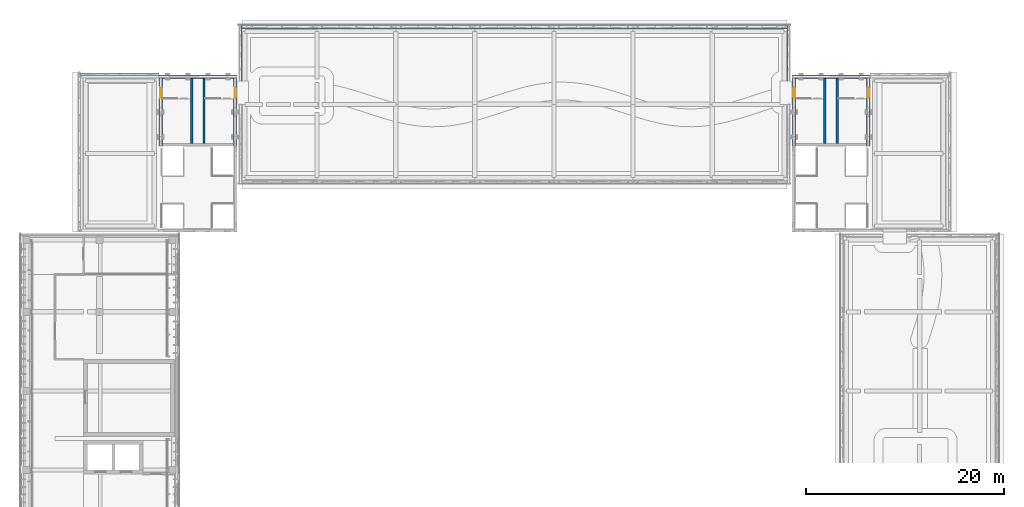
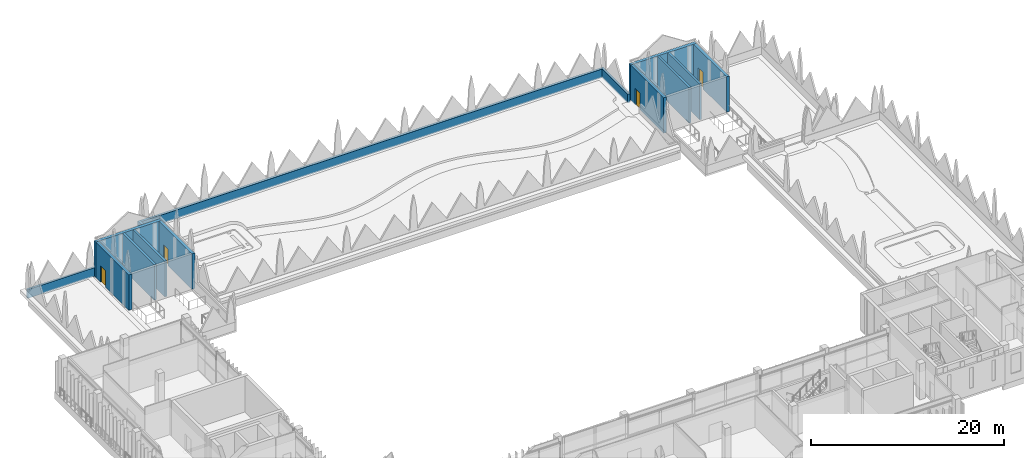
# One storey, part 28 of 46: 14 walls, 4 doors, 4 openings.
"""IFC4 building model written with IfcOpenShell, lengths in metres."""

import ifcopenshell
import ifcopenshell.guid

model = None  # the IFC model being written
_history = None  # IfcOwnerHistory: only IFC2X3 demands one
_inside = {}  # id of a spatial element -> (the spatial element, [elements in it])
_under = {}  # id of a project, library or spatial element -> (it, [spatial elements below it])
_declared = {}  # id of a project -> (the project, [libraries it declares])
_typed = {}  # id of a type object -> (the type object, [elements of that type])
_made_of = {}  # id of a material, layer set ... -> (it, [elements and type objects made of it])


def new_model(schema):
    """Start an empty IFC model of exactly this schema.

    Asked for "IFC4X3", IfcOpenShell would pick the latest addendum, in which some entities
    have other attributes; the version numbers below select the first issue.
    IFC2X3 requires an IfcOwnerHistory on every rooted entity: one is made here for all.
    """
    global model, _history
    if schema == "IFC4X3":
        model = ifcopenshell.file(schema_version=(4, 3, 0, 0))
    else:
        model = ifcopenshell.file(schema=schema)
    _inside.clear()
    _under.clear()
    _declared.clear()
    _typed.clear()
    _made_of.clear()
    _history = None
    if model.schema == "IFC2X3":
        org = make("IfcOrganization", Name="unknown")
        user = make(
            "IfcPersonAndOrganization",
            ThePerson=make("IfcPerson", FamilyName="unknown"),
            TheOrganization=org,
        )
        app = make(
            "IfcApplication",
            ApplicationDeveloper=org,
            Version="unknown",
            ApplicationFullName="unknown",
            ApplicationIdentifier="unknown",
        )
        _history = make(
            "IfcOwnerHistory",
            OwningUser=user,
            OwningApplication=app,
            ChangeAction="ADDED",
            CreationDate=0,
        )
    return model


def make(cls, **values):
    """One entity of the class cls with the attributes given. An attribute that is None is left unset."""
    return model.create_entity(
        cls, **{name: value for name, value in values.items() if value is not None}
    )


def rooted(cls, **values):
    """An entity with a GlobalId (a new one), such as an element, a storey or a relation."""
    return make(cls, GlobalId=ifcopenshell.guid.new(), OwnerHistory=_history, **values)


def si_unit(unit_type, name, prefix=None):
    """IfcSIUnit, for example si_unit("LENGTHUNIT", "METRE", prefix="MILLI")."""
    return make("IfcSIUnit", UnitType=unit_type, Prefix=prefix, Name=name)


def assignment(units):
    """IfcUnitAssignment: the units of a project."""
    return None if units is None else make("IfcUnitAssignment", Units=units)


def point(xyz):
    """IfcCartesianPoint."""
    return None if xyz is None else make("IfcCartesianPoint", Coordinates=xyz)


def direction(xyz):
    """IfcDirection."""
    return None if xyz is None else make("IfcDirection", DirectionRatios=xyz)


def frame(location, z_axis=None, x_axis=None):
    """IfcAxis2Placement3D, a coordinate frame: its origin and axes. An axis left out is left unset."""
    return make(
        "IfcAxis2Placement3D",
        Location=point(location),
        Axis=direction(z_axis),
        RefDirection=direction(x_axis),
    )


def frame_2d(location, x_axis=None):
    """IfcAxis2Placement2D, a coordinate frame in the plane: its origin and x axis."""
    return make(
        "IfcAxis2Placement2D", Location=point(location), RefDirection=direction(x_axis)
    )


def origin():
    """The frame at (0, 0, 0) with its axes left unset."""
    return frame((0.0, 0.0, 0.0))


def place(relative_to, where):
    """IfcLocalPlacement: puts the frame where relative to a parent placement (None: the world)."""
    return make(
        "IfcLocalPlacement", PlacementRelTo=relative_to, RelativePlacement=where
    )


def context(
    kind, dimensions, precision=None, world=None, true_north=None, identifier=None
):
    """IfcGeometricRepresentationContext, for example the 3D "Model" context."""
    return make(
        "IfcGeometricRepresentationContext",
        ContextIdentifier=identifier,
        ContextType=kind,
        CoordinateSpaceDimension=dimensions,
        Precision=precision,
        WorldCoordinateSystem=world,
        TrueNorth=true_north,
    )


def subcontext(parent, identifier, kind, view, scale=None):
    """IfcGeometricRepresentationSubContext, for example "Body" below "Model"."""
    return make(
        "IfcGeometricRepresentationSubContext",
        ContextIdentifier=identifier,
        ContextType=kind,
        ParentContext=parent,
        TargetScale=scale,
        TargetView=view,
    )


def project(units=None, contexts=None):
    """IfcProject with its units and contexts."""
    return rooted(
        "IfcProject",
        Name="project",
        RepresentationContexts=contexts,
        UnitsInContext=assignment(units),
    )


def spatial(cls, under=None, at=None, **own):
    """A site, building, storey or space (cls), placed at a placement, below another one or the project."""
    s = rooted(cls, ObjectPlacement=at, **own)
    if under is not None:
        _under.setdefault(under.id(), (under, []))[1].append(s)
    return s


def profile(cls, at=None, kind="AREA", **sizes):
    """A parametric profile (cls). Its sizes go by their IFC names, for example OverallWidth=200.0."""
    return make(cls, ProfileType=kind, Position=at, **sizes)


def rectangle(**sizes):
    """IfcRectangleProfileDef."""
    return profile("IfcRectangleProfileDef", **sizes)


def extrude(swept, where, along, depth):
    """IfcExtrudedAreaSolid: the profile swept, set in the frame where, extruded along a direction by depth."""
    return make(
        "IfcExtrudedAreaSolid",
        SweptArea=swept,
        Position=where,
        ExtrudedDirection=direction(along),
        Depth=depth,
    )


def shape(context_of_items, identifier, shape_type, items):
    """IfcShapeRepresentation: the items that make up one representation, for example the "Body"."""
    return make(
        "IfcShapeRepresentation",
        ContextOfItems=context_of_items,
        RepresentationIdentifier=identifier,
        RepresentationType=shape_type,
        Items=items,
    )


def material(Name=None, Category=None):
    """IfcMaterial."""
    return make("IfcMaterial", Name=Name, Category=Category)


def layer(
    of_material, thickness, ventilated=None, Name=None, Category=None, Priority=None
):
    """IfcMaterialLayer: one layer of a wall or slab, of a material (None: an air gap)."""
    return make(
        "IfcMaterialLayer",
        Material=of_material,
        LayerThickness=thickness,
        IsVentilated=ventilated,
        Name=Name,
        Category=Category,
        Priority=Priority,
    )


def layer_set(layers, Name=None):
    """IfcMaterialLayerSet."""
    return make("IfcMaterialLayerSet", MaterialLayers=layers, LayerSetName=Name)


def made_of(thing, what):
    """Note that an element or type object is made of a material, layer set ...; save() writes the relation."""
    if what is not None:
        _made_of.setdefault(what.id(), (what, []))[1].append(thing)
    return thing


def type_object(cls, material=None, **own):
    """A type object (cls), such as IfcWallType, which elements share."""
    return made_of(rooted(cls, **own), material)


def element(
    cls,
    number,
    at=None,
    inside=None,
    cuts=None,
    type_object=None,
    material=None,
    context=None,
    identifier="Body",
    shape_type=None,
    held_by="IfcProductDefinitionShape",
    body=None,
    shapes=None,
    **own,
):
    """One element of the class cls, such as IfcWall. Its Tag is "e" and its number.

    at: its placement. inside: the storey or other place that contains it. cuts: it is an
    opening in that element (IfcRelVoidsElement). A single representation is given by context,
    identifier, shape_type and body (its items); several are given by shapes. held_by: the class
    of the entity that holds the representations. save() writes the other relations.
    """
    e = rooted(cls, Tag="e%d" % number, ObjectPlacement=at, **own)
    if body is not None:
        shapes = [shape(context, identifier, shape_type, body)]
    if shapes is not None:
        e.Representation = make(held_by, Representations=shapes)
    if inside is not None:
        _inside.setdefault(inside.id(), (inside, []))[1].append(e)
    if cuts is not None:
        rooted(
            "IfcRelVoidsElement", RelatingBuildingElement=cuts, RelatedOpeningElement=e
        )
    if type_object is not None:
        _typed.setdefault(type_object.id(), (type_object, []))[1].append(e)
    return made_of(e, material)


def fill(opening, filler):
    """IfcRelFillsElement: the door or window that sits in an opening."""
    return rooted(
        "IfcRelFillsElement",
        RelatingOpeningElement=opening,
        RelatedBuildingElement=filler,
    )


def aggregate(whole, parts):
    """IfcRelAggregates: a whole, such as a stair, and the parts it consists of."""
    return rooted("IfcRelAggregates", RelatingObject=whole, RelatedObjects=parts)


def save(model, path):
    """Write the relations noted so far, then the file.

    IfcRelAggregates (storeys below a building ...), IfcRelContainedInSpatialStructure (elements
    in a storey), IfcRelDefinesByType, IfcRelAssociatesMaterial and IfcRelDeclares: one each for
    every whole, place, type object, material and project.
    """
    for whole, parts in _under.values():
        aggregate(whole, parts)
    for where, things in _inside.values():
        rooted(
            "IfcRelContainedInSpatialStructure",
            RelatedElements=things,
            RelatingStructure=where,
        )
    for kind, things in _typed.values():
        rooted("IfcRelDefinesByType", RelatedObjects=things, RelatingType=kind)
    for what, things in _made_of.values():
        rooted("IfcRelAssociatesMaterial", RelatedObjects=things, RelatingMaterial=what)
    for by, libraries in _declared.values():
        rooted("IfcRelDeclares", RelatingContext=by, RelatedDefinitions=libraries)
    model.write(path)


model = new_model("IFC4")

# Units and contexts
model_context = context("Model", 3, precision=1e-05, world=origin(), true_north=direction((0.0, 1.0)))
body_context = subcontext(model_context, "Body", "Model", "MODEL_VIEW")
ifc_project = project(units=[si_unit("LENGTHUNIT", "METRE"), si_unit("AREAUNIT", "SQUARE_METRE"), si_unit("VOLUMEUNIT", "CUBIC_METRE"), si_unit("PLANEANGLEUNIT", "RADIAN"), si_unit("MASSUNIT", "GRAM", prefix="KILO")], contexts=[model_context])

# Site, building, storey
site_placement = place(None, origin())
site = spatial("IfcSite", under=ifc_project, at=site_placement, CompositionType="ELEMENT")
building_placement = place(site_placement, origin())
building = spatial("IfcBuilding", under=site, at=building_placement, Name="Lantern Court Media Centre", CompositionType="ELEMENT")
storey_placement = place(building_placement, frame((0.0, 0.0, 28.800048828125)))
storey = spatial("IfcBuildingStorey", under=building, at=storey_placement, Name="L06", CompositionType="ELEMENT", Elevation=28.800048828125)

# Walls
ifc_material_1 = material(Name="Honed limestone cladding on blockwork", Category="masonry")
ifc_layer_1 = layer(ifc_material_1, 0.25)
ifc_layer_set_1 = layer_set([ifc_layer_1], Name="Honed limestone cladding on blockwork")
wall_type_1 = type_object("IfcWallType", Name="Limestone parapet wall 250", PredefinedType="PARAPET", material=ifc_layer_set_1)
wall_1_placement = place(storey_placement, frame((8.0, 112.044921875, 0.0), z_axis=(0.0, 0.0, 1.0), x_axis=(1.0, 0.0, 0.0)))
element("IfcWall", 1, at=wall_1_placement, inside=storey, type_object=wall_type_1, Name="Limestone parapet NW N", PredefinedType="PARAPET", context=body_context, shape_type="SweptSolid", body=[
    extrude(rectangle(XDim=8.0, YDim=0.25, at=frame_2d((4.0, 0.0))), origin(), (0.0, 0.0, 1.0), 1.099853515625),
])
ifc_material_2 = material(Name="Concrete C40", Category="concrete")
ifc_layer_2 = layer(ifc_material_2, 0.35009765625)
ifc_layer_set_2 = layer_set([ifc_layer_2], Name="Concrete C40")
wall_type_2 = type_object("IfcWallType", Name="RC head-house wall 350", PredefinedType="SOLIDWALL", material=ifc_layer_set_2)
wall_2_placement = place(storey_placement, frame((16.0, 111.824951171875, 0.0), z_axis=(0.0, 0.0, 1.0), x_axis=(1.0, 0.0, 0.0)))
element("IfcWall", 2, at=wall_2_placement, inside=storey, type_object=wall_type_2, Name="L06 NW head-house wall S", PredefinedType="SOLIDWALL", context=body_context, shape_type="SweptSolid", body=[
    extrude(rectangle(XDim=7.89990234375, YDim=0.35009765625, at=frame_2d((3.949951171875, 0.0))), origin(), (0.0, 0.0, 1.0), 4.5),
])

# Wall, opening, door
wall_3_placement = place(storey_placement, frame((16.175048828125, 111.64990234375, 0.0), z_axis=(0.0, 0.0, 1.0), x_axis=(0.0, -1.0, 0.0)))
wall_3 = element("IfcWall", 3, at=wall_3_placement, inside=storey, type_object=wall_type_2, Name="L06 NW head-house wall W", PredefinedType="SOLIDWALL", context=body_context, shape_type="SweptSolid", body=[
    extrude(rectangle(XDim=6.849853515625, YDim=0.35009765625, at=frame_2d((3.4248046875, 0.0))), origin(), (0.0, 0.0, 1.0), 4.5),
])
opening_1_placement = place(wall_3_placement, frame((0.949951171875, 0.0, 0.0)))
opening_1 = element("IfcOpeningElement", 4, at=opening_1_placement, cuts=wall_3, Name="Opening NW-L06-01", PredefinedType="OPENING", context=body_context, shape_type="SweptSolid", body=[
    extrude(rectangle(XDim=1.0, YDim=2.10009765625, at=frame_2d((0.5, 1.050048828125))), frame((0.0, 0.18505859375, 0.0), z_axis=(0.0, -1.0, 0.0), x_axis=(1.0, 0.0, 0.0)), (0.0, 0.0, 1.0), 0.3701171875),
])
ifc_material_3 = material(Name="Steel door leaf", Category="steel")
door_type = type_object("IfcDoorType", Name="Stair door 1000x2100", OperationType="NOTDEFINED", PredefinedType="DOOR", material=ifc_material_3)
door_1_placement = place(opening_1_placement, frame((1.0, 0.0, 0.0), z_axis=(0.0, 0.0, 1.0), x_axis=(-1.0, 0.0, 0.0)))
door_1 = element("IfcDoor", 5, at=door_1_placement, inside=storey, type_object=door_type, Name="L06 NW stair A door", OperationType="SINGLE_SWING_LEFT", OverallHeight=2.10009765625, OverallWidth=1.0, PredefinedType="DOOR", context=body_context, shape_type="SweptSolid", body=[
    extrude(rectangle(XDim=1.0, YDim=2.10009765625, at=frame_2d((0.5, 1.050048828125))), frame((0.0, 0.02490234375, 0.0), z_axis=(0.0, -1.0, 0.0), x_axis=(1.0, 0.0, 0.0)), (0.0, 0.0, 1.0), 0.050048828125),
])
fill(opening_1, door_1)

wall_4_placement = place(storey_placement, frame((23.72509765625, 111.64990234375, 0.0), z_axis=(0.0, 0.0, 1.0), x_axis=(0.0, -1.0, 0.0)))
wall_4 = element("IfcWall", 6, at=wall_4_placement, inside=storey, type_object=wall_type_2, Name="L06 NW head-house wall E", PredefinedType="SOLIDWALL", context=body_context, shape_type="SweptSolid", body=[
    extrude(rectangle(XDim=6.849853515625, YDim=0.35009765625, at=frame_2d((3.4248046875, 0.0))), origin(), (0.0, 0.0, 1.0), 4.5),
])
opening_2_placement = place(wall_4_placement, frame((0.949951171875, 0.0, 0.0)))
opening_2 = element("IfcOpeningElement", 7, at=opening_2_placement, cuts=wall_4, Name="Opening NW-L06-02", PredefinedType="OPENING", context=body_context, shape_type="SweptSolid", body=[
    extrude(rectangle(XDim=1.0, YDim=2.10009765625, at=frame_2d((0.5, 1.050048828125))), frame((0.0, 0.18505859375, 0.0), z_axis=(0.0, -1.0, 0.0), x_axis=(1.0, 0.0, 0.0)), (0.0, 0.0, 1.0), 0.3701171875),
])
door_2_placement = place(opening_2_placement, origin())
door_2 = element("IfcDoor", 8, at=door_2_placement, inside=storey, type_object=door_type, Name="L06 NW stair B door", OperationType="SINGLE_SWING_LEFT", OverallHeight=2.10009765625, OverallWidth=1.0, PredefinedType="DOOR", context=body_context, shape_type="SweptSolid", body=[
    extrude(rectangle(XDim=1.0, YDim=2.10009765625, at=frame_2d((0.5, 1.050048828125))), frame((0.0, 0.02490234375, 0.0), z_axis=(0.0, -1.0, 0.0), x_axis=(1.0, 0.0, 0.0)), (0.0, 0.0, 1.0), 0.050048828125),
])
fill(opening_2, door_2)

# Wall
wall_5_placement = place(storey_placement, frame((88.0, 111.824951171875, 0.0), z_axis=(0.0, 0.0, 1.0), x_axis=(-1.0, 0.0, 0.0)))
element("IfcWall", 9, at=wall_5_placement, inside=storey, type_object=wall_type_2, Name="L06 NE head-house wall S", PredefinedType="SOLIDWALL", context=body_context, shape_type="SweptSolid", body=[
    extrude(rectangle(XDim=7.89990234375, YDim=0.35009765625, at=frame_2d((3.949951171875, 0.0))), origin(), (0.0, 0.0, 1.0), 4.5),
])

# Wall, opening, door
wall_6_placement = place(storey_placement, frame((87.824951171875, 111.64990234375, 0.0), z_axis=(0.0, 0.0, 1.0), x_axis=(0.0, -1.0, 0.0)))
wall_6 = element("IfcWall", 10, at=wall_6_placement, inside=storey, type_object=wall_type_2, Name="L06 NE head-house wall W", PredefinedType="SOLIDWALL", context=body_context, shape_type="SweptSolid", body=[
    extrude(rectangle(XDim=6.849853515625, YDim=0.35009765625, at=frame_2d((3.4248046875, 0.0))), origin(), (0.0, 0.0, 1.0), 4.5),
])
opening_3_placement = place(wall_6_placement, frame((0.949951171875, 0.0, 0.0)))
opening_3 = element("IfcOpeningElement", 11, at=opening_3_placement, cuts=wall_6, Name="Opening NE-L06-02", PredefinedType="OPENING", context=body_context, shape_type="SweptSolid", body=[
    extrude(rectangle(XDim=1.0, YDim=2.10009765625, at=frame_2d((0.5, 1.050048828125))), frame((0.0, 0.18505859375, 0.0), z_axis=(0.0, -1.0, 0.0), x_axis=(1.0, 0.0, 0.0)), (0.0, 0.0, 1.0), 0.3701171875),
])
door_3_placement = place(opening_3_placement, frame((1.0, 0.0, 0.0), z_axis=(0.0, 0.0, 1.0), x_axis=(-1.0, 0.0, 0.0)))
door_3 = element("IfcDoor", 12, at=door_3_placement, inside=storey, type_object=door_type, Name="L06 NE stair B door", OperationType="SINGLE_SWING_RIGHT", OverallHeight=2.10009765625, OverallWidth=1.0, PredefinedType="DOOR", context=body_context, shape_type="SweptSolid", body=[
    extrude(rectangle(XDim=1.0, YDim=2.10009765625, at=frame_2d((0.5, 1.050048828125))), frame((0.0, 0.02490234375, 0.0), z_axis=(0.0, -1.0, 0.0), x_axis=(1.0, 0.0, 0.0)), (0.0, 0.0, 1.0), 0.050048828125),
])
fill(opening_3, door_3)

wall_7_placement = place(storey_placement, frame((80.27490234375, 111.64990234375, 0.0), z_axis=(0.0, 0.0, 1.0), x_axis=(0.0, -1.0, 0.0)))
wall_7 = element("IfcWall", 13, at=wall_7_placement, inside=storey, type_object=wall_type_2, Name="L06 NE head-house wall E", PredefinedType="SOLIDWALL", context=body_context, shape_type="SweptSolid", body=[
    extrude(rectangle(XDim=6.849853515625, YDim=0.35009765625, at=frame_2d((3.4248046875, 0.0))), origin(), (0.0, 0.0, 1.0), 4.5),
])
opening_4_placement = place(wall_7_placement, frame((0.949951171875, 0.0, 0.0)))
opening_4 = element("IfcOpeningElement", 14, at=opening_4_placement, cuts=wall_7, Name="Opening NE-L06-01", PredefinedType="OPENING", context=body_context, shape_type="SweptSolid", body=[
    extrude(rectangle(XDim=1.0, YDim=2.10009765625, at=frame_2d((0.5, 1.050048828125))), frame((0.0, 0.18505859375, 0.0), z_axis=(0.0, -1.0, 0.0), x_axis=(1.0, 0.0, 0.0)), (0.0, 0.0, 1.0), 0.3701171875),
])
door_4_placement = place(opening_4_placement, origin())
door_4 = element("IfcDoor", 15, at=door_4_placement, inside=storey, type_object=door_type, Name="L06 NE stair A door", OperationType="SINGLE_SWING_LEFT", OverallHeight=2.10009765625, OverallWidth=1.0, PredefinedType="DOOR", context=body_context, shape_type="SweptSolid", body=[
    extrude(rectangle(XDim=1.0, YDim=2.10009765625, at=frame_2d((0.5, 1.050048828125))), frame((0.0, 0.02490234375, 0.0), z_axis=(0.0, -1.0, 0.0), x_axis=(1.0, 0.0, 0.0)), (0.0, 0.0, 1.0), 0.050048828125),
])
fill(opening_4, door_4)

# Walls
ifc_layer_3 = layer(ifc_material_2, 0.25)
ifc_layer_set_3 = layer_set([ifc_layer_3], Name="Concrete C40")
wall_type_3 = type_object("IfcWallType", Name="RC stair shaft wall 250", PredefinedType="SOLIDWALL", material=ifc_layer_set_3)
for number, where, z_axis, x_axis, name in (
    (16, (19.324951171875, 111.64990234375, 0.0), (0.0, 0.0, 1.0), (0.0, -1.0, 0.0), "L06 NW SA"),
    (17, (20.574951171875, 111.64990234375, 0.0), (0.0, 0.0, 1.0), (0.0, -1.0, 0.0), "L06 NW SB"),
    (18, (84.675048828125, 111.64990234375, 0.0), (0.0, 0.0, 1.0), (0.0, -1.0, 0.0), "L06 NE SA"),
    (19, (83.425048828125, 111.64990234375, 0.0), (0.0, 0.0, 1.0), (0.0, -1.0, 0.0), "L06 NE SB"),
):
    element("IfcWall", number, at=place(storey_placement, frame(where, z_axis=z_axis, x_axis=x_axis)), inside=storey, type_object=wall_type_3, Name=name, PredefinedType="SOLIDWALL", context=body_context, shape_type="SweptSolid", body=[
        extrude(rectangle(XDim=6.599853515625, YDim=0.25, at=frame_2d((3.2998046875, 0.0))), origin(), (0.0, 0.0, 1.0), 4.5),
    ])
ifc_material_4 = material(Name="Insulated rendered blockwork", Category="masonry")
ifc_layer_4 = layer(ifc_material_4, 0.300048828125)
ifc_layer_set_4 = layer_set([ifc_layer_4], Name="Insulated rendered blockwork")
wall_type_4 = type_object("IfcWallType", Name="Roof parapet 300", PredefinedType="PARAPET", material=ifc_layer_set_4)
for number, where, z_axis, x_axis, name in (
    (20, (24.25, 111.39990234375, 0.0), (0.0, 0.0, 1.0), (0.0, 1.0, 0.0), "Roof parapet PP-N"),
    (21, (79.75, 111.39990234375, 0.0), (0.0, 0.0, 1.0), (0.0, 1.0, 0.0), "Roof parapet PP-N"),
):
    element("IfcWall", number, at=place(storey_placement, frame(where, z_axis=z_axis, x_axis=x_axis)), inside=storey, type_object=wall_type_4, Name=name, PredefinedType="PARAPET", context=body_context, shape_type="SweptSolid", body=[
        extrude(rectangle(XDim=5.60009765625, YDim=0.300048828125, at=frame_2d((2.800048828125, 0.0))), origin(), (0.0, 0.0, 1.0), 1.099853515625),
    ])
wall_8_placement = place(storey_placement, frame((24.39990234375, 116.85009765625, 0.0), z_axis=(0.0, 0.0, 1.0), x_axis=(1.0, 0.0, 0.0)))
element("IfcWall", 22, at=wall_8_placement, inside=storey, type_object=wall_type_4, Name="Roof parapet PP-N", PredefinedType="PARAPET", context=body_context, shape_type="SweptSolid", body=[
    extrude(rectangle(XDim=55.2001953125, YDim=0.300048828125, at=frame_2d((27.60009765625, 0.0))), origin(), (0.0, 0.0, 1.0), 1.099853515625),
])

save(model, "model.ifc")
